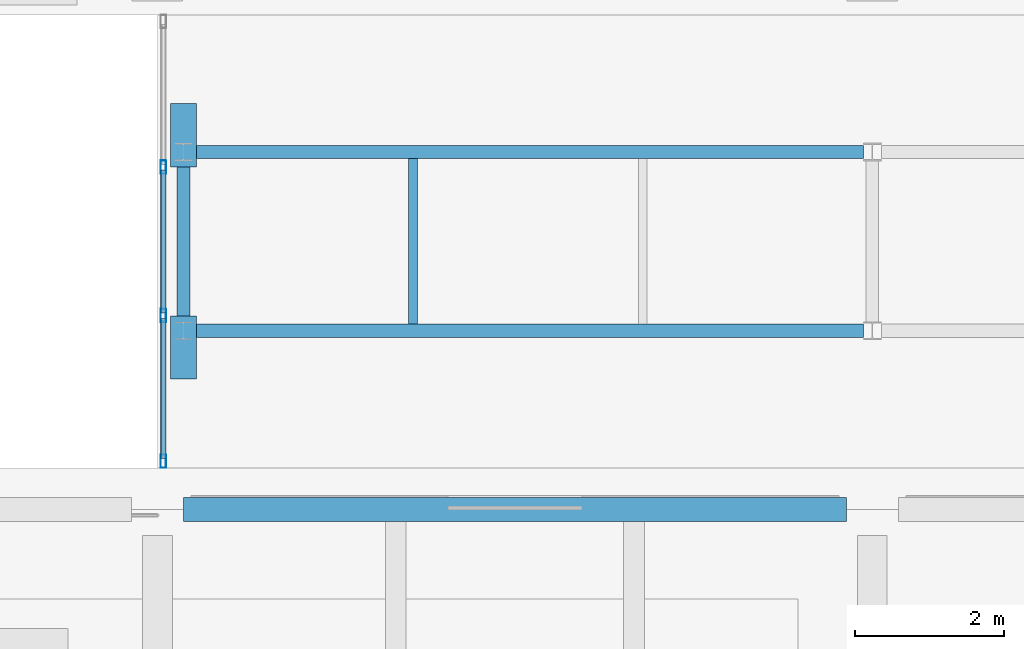
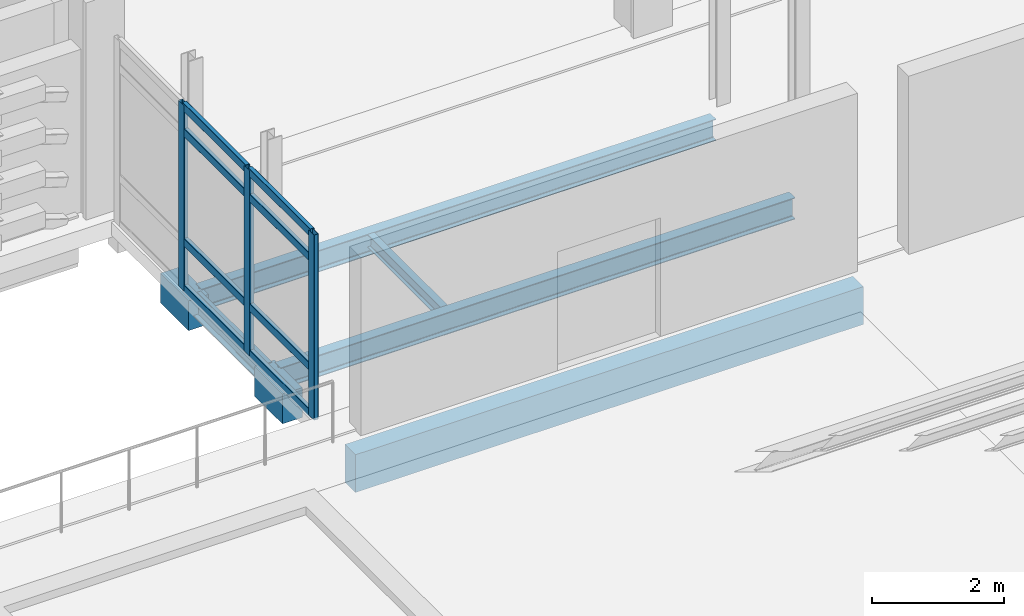
# One storey, part 6 of 134: 11 members, 7 beams, 1 element without a shape of its own.
"""IFC4 building model written with IfcOpenShell, lengths in metres."""

from ifc_helpers import new_model, si_unit, direction, frame, origin, origin_2d, place, context, subcontext, project, spatial, rectangle, hollow_rectangle, i_section, extrude, material, layer, layer_set, material_profile, profile_set, type_object, element, aggregate, save


model = new_model("IFC4")

# Units and contexts
model_context = context("Model", 3, precision=1e-05, world=origin(), true_north=direction((0.0, 1.0)))
body_context = subcontext(model_context, "Body", "Model", "MODEL_VIEW")
ifc_project = project(units=[si_unit("LENGTHUNIT", "METRE"), si_unit("AREAUNIT", "SQUARE_METRE"), si_unit("VOLUMEUNIT", "CUBIC_METRE"), si_unit("PLANEANGLEUNIT", "RADIAN"), si_unit("MASSUNIT", "GRAM", prefix="KILO")], contexts=[model_context])

# Site, building, storey
site_placement = place(None, origin())
site = spatial("IfcSite", under=ifc_project, at=site_placement, CompositionType="ELEMENT")
building_placement = place(site_placement, origin())
building = spatial("IfcBuilding", under=site, at=building_placement, Name="Asteropetra Specialist Clinic", CompositionType="ELEMENT")
storey_placement = place(building_placement, frame((0.0, 0.0, 8.5)))
storey = spatial("IfcBuildingStorey", under=building, at=storey_placement, Name="L02", CompositionType="ELEMENT", Elevation=8.5)

# Beams
ifc_material_1 = material(Name="Concrete C35/45", Category="concrete")
ifc_material_profile_1 = material_profile(ifc_material_1, rectangle(XDim=0.35009765625, YDim=0.550048828125, at=origin_2d()), Name="RCB 350x550")
ifc_profile_set_1 = profile_set([ifc_material_profile_1], Name="Concrete C35/45")
beam_type_1 = type_object("IfcBeamType", Name="BM-RC350x550", PredefinedType="BEAM", material=ifc_profile_set_1)
for number, where, z_axis, x_axis, name in (
    (1, (9.949951171875, 29.0, -0.56005859375), (0.0, -1.0, 0.0), (1.0, 0.0, 0.0), "Bridge Bearing Seat Corbel CRB-05"),
    (2, (9.949951171875, 31.0, -0.56005859375), (0.0, 1.0, 0.0), (-1.0, 0.0, 0.0), "Bridge Bearing Seat Corbel CRB-06"),
):
    element("IfcBeam", number, at=place(storey_placement, frame(where, z_axis=z_axis, x_axis=x_axis)), inside=storey, type_object=beam_type_1, Name=name, PredefinedType="BEAM", context=body_context, shape_type="SweptSolid", body=[
        extrude(rectangle(XDim=0.35009765625, YDim=0.550048828125, at=origin_2d()), origin(), (0.0, 0.0, 1.0), 0.85009765625),
    ])
ifc_material_2 = material(Name="Steel S355", Category="steel")
ifc_material_profile_2 = material_profile(ifc_material_2, i_section(OverallWidth=0.169921875, OverallDepth=0.360107421875, WebThickness=0.008056640625, FlangeThickness=0.0126953125, FilletRadius=0.01806640625, at=origin_2d()), Name="IPE 360")
ifc_profile_set_2 = profile_set([ifc_material_profile_2], Name="Steel S355")
beam_type_2 = type_object("IfcBeamType", Name="BM-STL-IPE360", PredefinedType="BEAM", material=ifc_profile_set_2)
beam_1_placement = place(storey_placement, frame((9.949951171875, 28.919921875, -0.419921875), z_axis=(0.0, 1.0, 0.0), x_axis=(-1.0, 0.0, 0.0)))
element("IfcBeam", 3, at=beam_1_placement, inside=storey, type_object=beam_type_2, Name="Beam BBMS4-1336", PredefinedType="BEAM", context=body_context, shape_type="SweptSolid", body=[
    extrude(i_section(OverallWidth=0.169921875, OverallDepth=0.360107421875, WebThickness=0.008056640625, FlangeThickness=0.0126953125, FilletRadius=0.01806640625, at=origin_2d()), origin(), (0.0, 0.0, 1.0), 2.16015625),
])
ifc_material_3 = material(Name="Steel S355", Category="steel")
ifc_material_profile_3 = material_profile(ifc_material_3, i_section(OverallWidth=0.179931640625, OverallDepth=0.39990234375, WebThickness=0.008544921875, FlangeThickness=0.013427734375, FilletRadius=0.02099609375, at=origin_2d()), Name="IPE 400")
ifc_profile_set_3 = profile_set([ifc_material_profile_3], Name="Steel S355")
beam_type_3 = type_object("IfcBeamType", Name="BM-STL-IPE400", PredefinedType="BEAM", material=ifc_profile_set_3)
for number, where, z_axis, x_axis, name in (
    (4, (10.070068359375, 28.800048828125, -0.43994140625), (1.0, 0.0, 0.0), (0.0, 1.0, 0.0), "Beam BBMS3-1332"),
    (5, (10.070068359375, 31.199951171875, -0.43994140625), (1.0, 0.0, 0.0), (0.0, 1.0, 0.0), "Beam BBMS3-1334"),
):
    element("IfcBeam", number, at=place(storey_placement, frame(where, z_axis=z_axis, x_axis=x_axis)), inside=storey, type_object=beam_type_3, Name=name, PredefinedType="BEAM", context=body_context, shape_type="SweptSolid", body=[
        extrude(i_section(OverallWidth=0.179931640625, OverallDepth=0.39990234375, WebThickness=0.008544921875, FlangeThickness=0.013427734375, FilletRadius=0.02099609375, at=origin_2d()), origin(), (0.0, 0.0, 1.0), 9.010009765625),
    ])

# Curtain wall, members
ifc_material_4 = material(Name="Aluminium and low-E glass", Category="aluminium")
ifc_layer = layer(ifc_material_4, 0.179931640625)
ifc_layer_set = layer_set([ifc_layer], Name="Aluminium and low-E glass")
curtain_wall_type = type_object("IfcCurtainWallType", Name="CW-SYS-07", PredefinedType="USERDEFINED", material=ifc_layer_set)
curtain_wall_placement = place(storey_placement, origin())
curtain_wall = element("IfcCurtainWall", 6, at=curtain_wall_placement, inside=storey, type_object=curtain_wall_type, Name="Curtain Wall CW-099", ObjectType="STICK GLAZED COLONNADE", PredefinedType="USERDEFINED")
ifc_material_5 = material(Name="Aluminium 6063-T6", Category="aluminium")
ifc_material_profile_4 = material_profile(ifc_material_5, hollow_rectangle(XDim=0.074951171875, YDim=0.179931640625, WallThickness=0.00390625, InnerFilletRadius=0.00390625, OuterFilletRadius=0.008056640625, at=origin_2d()), Name="MUL 180x75x4.0")
ifc_profile_set_4 = profile_set([ifc_material_profile_4], Name="Aluminium 6063-T6")
member_type_1 = type_object("IfcMemberType", Name="CWM-180x75", PredefinedType="MULLION", material=ifc_profile_set_4)
member_1_placement = place(storey_placement, frame((9.679931640625, 27.047607421875, 0.0), z_axis=(0.0, 0.0, 1.0), x_axis=(-1.0, 0.0, 0.0)))
member_1 = element("IfcMember", 7, at=member_1_placement, type_object=member_type_1, Name="CW-099 mullion 1", PredefinedType="MULLION", context=body_context, shape_type="SweptSolid", body=[
    extrude(hollow_rectangle(XDim=0.074951171875, YDim=0.179931640625, WallThickness=0.00390625, InnerFilletRadius=0.00390625, OuterFilletRadius=0.008056640625, at=origin_2d()), origin(), (0.0, 0.0, 1.0), 3.429931640625),
])
member_2_placement = place(storey_placement, frame((9.679931640625, 29.00341796875, 0.0), z_axis=(0.0, 0.0, 1.0), x_axis=(-1.0, 0.0, 0.0)))
member_2 = element("IfcMember", 8, at=member_2_placement, type_object=member_type_1, Name="CW-099 mullion 2", PredefinedType="MULLION", context=body_context, shape_type="SweptSolid", body=[
    extrude(hollow_rectangle(XDim=0.074951171875, YDim=0.179931640625, WallThickness=0.00390625, InnerFilletRadius=0.00390625, OuterFilletRadius=0.008056640625, at=origin_2d()), origin(), (0.0, 0.0, 1.0), 3.429931640625),
])
member_3_placement = place(storey_placement, frame((9.679931640625, 30.99658203125, 0.0), z_axis=(0.0, 0.0, 1.0), x_axis=(-1.0, 0.0, 0.0)))
member_3 = element("IfcMember", 9, at=member_3_placement, type_object=member_type_1, Name="CW-099 mullion 3", PredefinedType="MULLION", context=body_context, shape_type="SweptSolid", body=[
    extrude(hollow_rectangle(XDim=0.074951171875, YDim=0.179931640625, WallThickness=0.00390625, InnerFilletRadius=0.00390625, OuterFilletRadius=0.008056640625, at=origin_2d()), origin(), (0.0, 0.0, 1.0), 3.429931640625),
])
ifc_material_6 = material(Name="Aluminium 6063-T6", Category="aluminium")
ifc_material_profile_5 = material_profile(ifc_material_6, hollow_rectangle(XDim=0.074951171875, YDim=0.14990234375, WallThickness=0.00390625, InnerFilletRadius=0.00390625, OuterFilletRadius=0.008056640625, at=origin_2d()), Name="TRN 150x75x4.0")
ifc_profile_set_5 = profile_set([ifc_material_profile_5], Name="Aluminium 6063-T6")
member_type_2 = type_object("IfcMemberType", Name="CWT-150x75", PredefinedType="USERDEFINED", material=ifc_profile_set_5)
member_4_placement = place(storey_placement, frame((9.679931640625, 27.0849609375, 0.03759765625), z_axis=(0.0, 1.0, 0.0), x_axis=(-1.0, 0.0, 0.0)))
member_4 = element("IfcMember", 10, at=member_4_placement, type_object=member_type_2, Name="CW-099 transom 1.1", ObjectType="TRANSOM", PredefinedType="USERDEFINED", context=body_context, shape_type="SweptSolid", body=[
    extrude(hollow_rectangle(XDim=0.074951171875, YDim=0.14990234375, WallThickness=0.00390625, InnerFilletRadius=0.00390625, OuterFilletRadius=0.008056640625, at=origin_2d()), origin(), (0.0, 0.0, 1.0), 1.880859375),
])
member_5_placement = place(storey_placement, frame((9.679931640625, 27.0849609375, 0.89990234375), z_axis=(0.0, 1.0, 0.0), x_axis=(-1.0, 0.0, 0.0)))
member_5 = element("IfcMember", 11, at=member_5_placement, type_object=member_type_2, Name="CW-099 transom 1.2", ObjectType="TRANSOM", PredefinedType="USERDEFINED", context=body_context, shape_type="SweptSolid", body=[
    extrude(hollow_rectangle(XDim=0.074951171875, YDim=0.14990234375, WallThickness=0.00390625, InnerFilletRadius=0.00390625, OuterFilletRadius=0.008056640625, at=origin_2d()), origin(), (0.0, 0.0, 1.0), 1.880859375),
])
member_6_placement = place(storey_placement, frame((9.679931640625, 27.0849609375, 2.929931640625), z_axis=(0.0, 1.0, 0.0), x_axis=(-1.0, 0.0, 0.0)))
member_6 = element("IfcMember", 12, at=member_6_placement, type_object=member_type_2, Name="CW-099 transom 1.3", ObjectType="TRANSOM", PredefinedType="USERDEFINED", context=body_context, shape_type="SweptSolid", body=[
    extrude(hollow_rectangle(XDim=0.074951171875, YDim=0.14990234375, WallThickness=0.00390625, InnerFilletRadius=0.00390625, OuterFilletRadius=0.008056640625, at=origin_2d()), origin(), (0.0, 0.0, 1.0), 1.880859375),
])
member_7_placement = place(storey_placement, frame((9.679931640625, 27.0849609375, 3.392578125), z_axis=(0.0, 1.0, 0.0), x_axis=(-1.0, 0.0, 0.0)))
member_7 = element("IfcMember", 13, at=member_7_placement, type_object=member_type_2, Name="CW-099 transom 1.4", ObjectType="TRANSOM", PredefinedType="USERDEFINED", context=body_context, shape_type="SweptSolid", body=[
    extrude(hollow_rectangle(XDim=0.074951171875, YDim=0.14990234375, WallThickness=0.00390625, InnerFilletRadius=0.00390625, OuterFilletRadius=0.008056640625, at=origin_2d()), origin(), (0.0, 0.0, 1.0), 1.880859375),
])
member_8_placement = place(storey_placement, frame((9.679931640625, 29.040771484375, 0.03759765625), z_axis=(0.0, 1.0, 0.0), x_axis=(-1.0, 0.0, 0.0)))
member_8 = element("IfcMember", 14, at=member_8_placement, type_object=member_type_2, Name="CW-099 transom 2.1", ObjectType="TRANSOM", PredefinedType="USERDEFINED", context=body_context, shape_type="SweptSolid", body=[
    extrude(hollow_rectangle(XDim=0.074951171875, YDim=0.14990234375, WallThickness=0.00390625, InnerFilletRadius=0.00390625, OuterFilletRadius=0.008056640625, at=origin_2d()), origin(), (0.0, 0.0, 1.0), 1.91845703125),
])
member_9_placement = place(storey_placement, frame((9.679931640625, 29.040771484375, 0.89990234375), z_axis=(0.0, 1.0, 0.0), x_axis=(-1.0, 0.0, 0.0)))
member_9 = element("IfcMember", 15, at=member_9_placement, type_object=member_type_2, Name="CW-099 transom 2.2", ObjectType="TRANSOM", PredefinedType="USERDEFINED", context=body_context, shape_type="SweptSolid", body=[
    extrude(hollow_rectangle(XDim=0.074951171875, YDim=0.14990234375, WallThickness=0.00390625, InnerFilletRadius=0.00390625, OuterFilletRadius=0.008056640625, at=origin_2d()), origin(), (0.0, 0.0, 1.0), 1.91845703125),
])
member_10_placement = place(storey_placement, frame((9.679931640625, 29.040771484375, 2.929931640625), z_axis=(0.0, 1.0, 0.0), x_axis=(-1.0, 0.0, 0.0)))
member_10 = element("IfcMember", 16, at=member_10_placement, type_object=member_type_2, Name="CW-099 transom 2.3", ObjectType="TRANSOM", PredefinedType="USERDEFINED", context=body_context, shape_type="SweptSolid", body=[
    extrude(hollow_rectangle(XDim=0.074951171875, YDim=0.14990234375, WallThickness=0.00390625, InnerFilletRadius=0.00390625, OuterFilletRadius=0.008056640625, at=origin_2d()), origin(), (0.0, 0.0, 1.0), 1.91845703125),
])
member_11_placement = place(storey_placement, frame((9.679931640625, 29.040771484375, 3.392578125), z_axis=(0.0, 1.0, 0.0), x_axis=(-1.0, 0.0, 0.0)))
member_11 = element("IfcMember", 17, at=member_11_placement, type_object=member_type_2, Name="CW-099 transom 2.4", ObjectType="TRANSOM", PredefinedType="USERDEFINED", context=body_context, shape_type="SweptSolid", body=[
    extrude(hollow_rectangle(XDim=0.074951171875, YDim=0.14990234375, WallThickness=0.00390625, InnerFilletRadius=0.00390625, OuterFilletRadius=0.008056640625, at=origin_2d()), origin(), (0.0, 0.0, 1.0), 1.91845703125),
])
aggregate(curtain_wall, [member_1, member_2, member_3, member_4, member_5, member_6, member_7, member_8, member_9, member_10, member_11])

# Beams
ifc_material_7 = material(Name="Steel S355", Category="steel")
ifc_material_profile_6 = material_profile(ifc_material_7, i_section(OverallWidth=0.1201171875, OverallDepth=0.239990234375, WebThickness=0.006103515625, FlangeThickness=0.009765625, FilletRadius=0.014892578125, at=origin_2d()), Name="IPE 240")
ifc_profile_set_6 = profile_set([ifc_material_profile_6], Name="Steel S355")
beam_type_4 = type_object("IfcBeamType", Name="JST-STL-IPE240", PredefinedType="JOIST", material=ifc_profile_set_6)
beam_2_placement = place(storey_placement, frame((13.033203125, 28.889892578125, -0.360107421875), z_axis=(0.0, 1.0, 0.0), x_axis=(-1.0, 0.0, 0.0)))
element("IfcBeam", 18, at=beam_2_placement, inside=storey, type_object=beam_type_4, Name="Joist JJSTS1-1339", PredefinedType="JOIST", context=body_context, shape_type="SweptSolid", body=[
    extrude(i_section(OverallWidth=0.1201171875, OverallDepth=0.239990234375, WebThickness=0.006103515625, FlangeThickness=0.009765625, FilletRadius=0.014892578125, at=origin_2d()), origin(), (0.0, 0.0, 1.0), 2.22021484375),
])
ifc_material_8 = material(Name="Concrete C35/45", Category="concrete")
ifc_material_profile_7 = material_profile(ifc_material_8, rectangle(XDim=0.320068359375, YDim=0.699951171875, at=origin_2d()), Name="RCS 320x700")
ifc_profile_set_7 = profile_set([ifc_material_profile_7], Name="Concrete C35/45")
beam_type_5 = type_object("IfcBeamType", Name="SPN-RC320x700", PredefinedType="SPANDREL", material=ifc_profile_set_7)
beam_3_placement = place(storey_placement, frame((9.949951171875, 26.39990234375, -0.659912109375), z_axis=(1.0, 0.0, 0.0), x_axis=(0.0, 1.0, 0.0)))
element("IfcBeam", 19, at=beam_3_placement, inside=storey, type_object=beam_type_5, Name="Beam BSPN02-0869", PredefinedType="SPANDREL", context=body_context, shape_type="SweptSolid", body=[
    extrude(rectangle(XDim=0.320068359375, YDim=0.699951171875, at=origin_2d()), origin(), (0.0, 0.0, 1.0), 8.900146484375),
])

save(model, "model.ifc")
